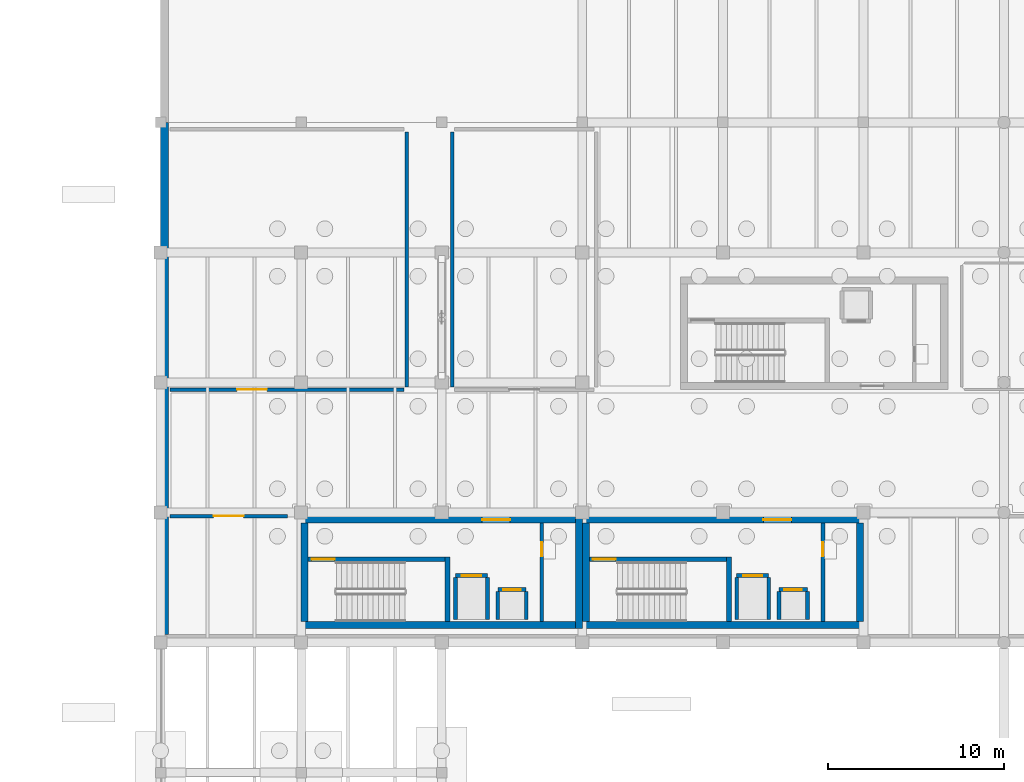
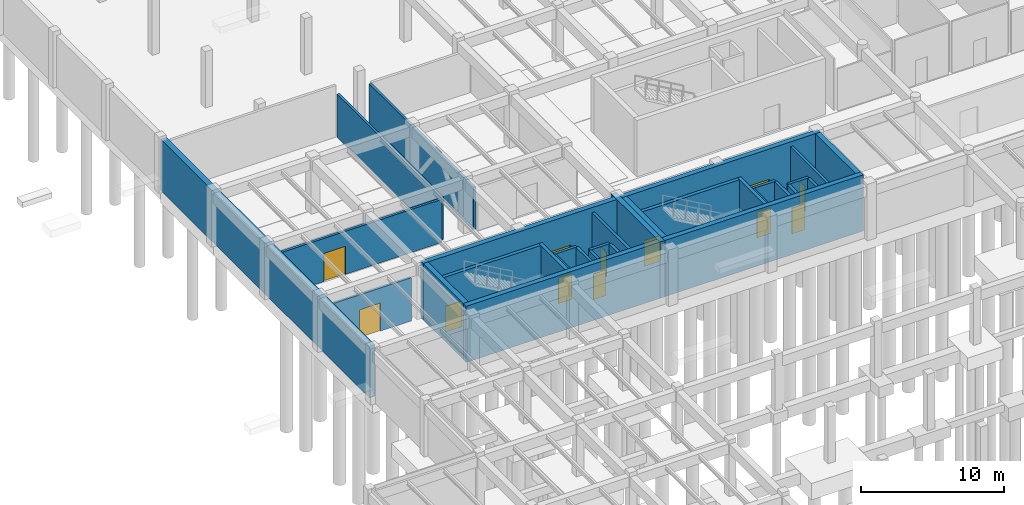
# One storey, part 19 of 40: 31 walls, 12 doors, 12 openings.
"""IFC4 building model written with IfcOpenShell, lengths in metres."""

from ifc_helpers import new_model, si_unit, direction, frame, frame_2d, origin, place, context, subcontext, project, spatial, rectangle, extrude, material, layer, layer_set, type_object, element, fill, save


model = new_model("IFC4")

# Units and contexts
model_context = context("Model", 3, precision=1e-05, world=origin(), true_north=direction((0.0, 1.0)))
body_context = subcontext(model_context, "Body", "Model", "MODEL_VIEW")
ifc_project = project(units=[si_unit("LENGTHUNIT", "METRE"), si_unit("AREAUNIT", "SQUARE_METRE"), si_unit("VOLUMEUNIT", "CUBIC_METRE"), si_unit("PLANEANGLEUNIT", "RADIAN"), si_unit("MASSUNIT", "GRAM", prefix="KILO")], contexts=[model_context])

# Site, building, storey
site_placement = place(None, origin())
site = spatial("IfcSite", under=ifc_project, at=site_placement, CompositionType="ELEMENT")
building_placement = place(site_placement, origin())
building = spatial("IfcBuilding", under=site, at=building_placement, Name="Valkorina Park Police Headquarters", CompositionType="ELEMENT")
storey_placement = place(building_placement, frame((0.0, 0.0, -4.800048828125)))
storey = spatial("IfcBuildingStorey", under=building, at=storey_placement, Name="B01", CompositionType="ELEMENT", Elevation=-4.800048828125)

# Wall, opening, door
ifc_material_1 = material(Name="Autoclaved aerated concrete masonry", Category="masonry")
ifc_layer_1 = layer(ifc_material_1, 0.219970703125)
ifc_layer_set_1 = layer_set([ifc_layer_1], Name="Autoclaved aerated concrete masonry")
wall_type_1 = type_object("IfcWallType", Name="WL-CHASE-220-EI60", PredefinedType="PLUMBINGWALL", material=ifc_layer_set_1)
wall_1_placement = place(storey_placement, frame((25.590087890625, 40.81005859375, 0.0), z_axis=(0.0, 0.0, 1.0), x_axis=(1.0, 0.0, 0.0)))
wall_1 = element("IfcWall", 1, at=wall_1_placement, inside=storey, type_object=wall_type_1, Name="Lift LF-01 B01 Shaft Front Wall", PredefinedType="PLUMBINGWALL", context=body_context, shape_type="SweptSolid", body=[
    extrude(rectangle(XDim=1.81982421875, YDim=0.219970703125, at=frame_2d((0.909912109375, 0.0))), origin(), (0.0, 0.0, 1.0), 4.380126953125),
])
opening_1_placement = place(wall_1_placement, frame((0.360107421875, 0.0, 0.0)))
opening_1 = element("IfcOpeningElement", 2, at=opening_1_placement, cuts=wall_1, Name="Opening LD-01", PredefinedType="OPENING", context=body_context, shape_type="SweptSolid", body=[
    extrude(rectangle(XDim=1.10009765625, YDim=2.199951171875, at=frame_2d((0.550048828125, 1.10009765625))), frame((0.0, 0.1201171875, 0.0), z_axis=(0.0, -1.0, 0.0), x_axis=(1.0, 0.0, 0.0)), (0.0, 0.0, 1.0), 0.239990234375),
])
ifc_material_2 = material(Name="Stainless steel EN 1.4404", Category="steel")
ifc_layer_2 = layer(ifc_material_2, 0.050048828125)
ifc_layer_set_2 = layer_set([ifc_layer_2], Name="Stainless steel EN 1.4404")
door_type_1 = type_object("IfcDoorType", Name="DR-LIFT-FF-1100x2200", OperationType="NOTDEFINED", PredefinedType="DOOR", material=ifc_layer_set_2)
door_1_placement = place(opening_1_placement, origin())
door_1 = element("IfcDoor", 3, at=door_1_placement, inside=storey, type_object=door_type_1, Name="Lift Landing Door LF-01-B01", OperationType="DOUBLE_DOOR_SLIDING", OverallHeight=2.199951171875, OverallWidth=1.10009765625, PredefinedType="DOOR", context=body_context, shape_type="SweptSolid", body=[
    extrude(rectangle(XDim=1.10009765625, YDim=2.199951171875, at=frame_2d((0.550048828125, 1.10009765625))), frame((0.0, 0.02490234375, 0.0), z_axis=(0.0, -1.0, 0.0), x_axis=(1.0, 0.0, 0.0)), (0.0, 0.0, 1.0), 0.050048828125),
])
fill(opening_1, door_1)

# Walls
for number, where, z_axis, x_axis, name in (
    (4, (25.590087890625, 38.300048828125, 0.0), (0.0, 0.0, 1.0), (0.0, 1.0, 0.0), "Lift LF-01 B01 Shaft Side Wall W"),
    (5, (27.409912109375, 38.300048828125, 0.0), (0.0, 0.0, 1.0), (0.0, 1.0, 0.0), "Lift LF-01 B01 Shaft Side Wall E"),
):
    element("IfcWall", number, at=place(storey_placement, frame(where, z_axis=z_axis, x_axis=x_axis)), inside=storey, type_object=wall_type_1, Name=name, PredefinedType="PLUMBINGWALL", context=body_context, shape_type="SweptSolid", body=[
        extrude(rectangle(XDim=2.39990234375, YDim=0.219970703125, at=frame_2d((1.199951171875, 0.0))), origin(), (0.0, 0.0, 1.0), 4.380126953125),
    ])

# Wall, opening, door
wall_2_placement = place(storey_placement, frame((27.989990234375, 40.010009765625, 0.0), z_axis=(0.0, 0.0, 1.0), x_axis=(1.0, 0.0, 0.0)))
wall_2 = element("IfcWall", 6, at=wall_2_placement, inside=storey, type_object=wall_type_1, Name="Lift LF-03 B01 Shaft Front Wall", PredefinedType="PLUMBINGWALL", context=body_context, shape_type="SweptSolid", body=[
    extrude(rectangle(XDim=1.6201171875, YDim=0.219970703125, at=frame_2d((0.81005859375, 0.0))), origin(), (0.0, 0.0, 1.0), 4.380126953125),
])
opening_2_placement = place(wall_2_placement, frame((0.31005859375, 0.0, 0.0)))
opening_2 = element("IfcOpeningElement", 7, at=opening_2_placement, cuts=wall_2, Name="Opening LD-02", PredefinedType="OPENING", context=body_context, shape_type="SweptSolid", body=[
    extrude(rectangle(XDim=1.0, YDim=2.199951171875, at=frame_2d((0.5, 1.10009765625))), frame((0.0, 0.1201171875, 0.0), z_axis=(0.0, -1.0, 0.0), x_axis=(1.0, 0.0, 0.0)), (0.0, 0.0, 1.0), 0.239990234375),
])
ifc_layer_3 = layer(ifc_material_2, 0.050048828125)
ifc_layer_set_3 = layer_set([ifc_layer_3], Name="Stainless steel EN 1.4404")
door_type_2 = type_object("IfcDoorType", Name="DR-LIFT-PAX-1000x2200", OperationType="NOTDEFINED", PredefinedType="DOOR", material=ifc_layer_set_3)
door_2_placement = place(opening_2_placement, origin())
door_2 = element("IfcDoor", 8, at=door_2_placement, inside=storey, type_object=door_type_2, Name="Lift Landing Door LF-03-B01", OperationType="DOUBLE_DOOR_SLIDING", OverallHeight=2.199951171875, OverallWidth=1.0, PredefinedType="DOOR", context=body_context, shape_type="SweptSolid", body=[
    extrude(rectangle(XDim=1.0, YDim=2.199951171875, at=frame_2d((0.5, 1.10009765625))), frame((0.0, 0.02490234375, 0.0), z_axis=(0.0, -1.0, 0.0), x_axis=(1.0, 0.0, 0.0)), (0.0, 0.0, 1.0), 0.050048828125),
])
fill(opening_2, door_2)

# Walls
for number, where, z_axis, x_axis, name in (
    (9, (27.989990234375, 38.300048828125, 0.0), (0.0, 0.0, 1.0), (0.0, 1.0, 0.0), "Lift LF-03 B01 Shaft Side Wall W"),
    (10, (29.610107421875, 38.300048828125, 0.0), (0.0, 0.0, 1.0), (0.0, 1.0, 0.0), "Lift LF-03 B01 Shaft Side Wall E"),
):
    element("IfcWall", number, at=place(storey_placement, frame(where, z_axis=z_axis, x_axis=x_axis)), inside=storey, type_object=wall_type_1, Name=name, PredefinedType="PLUMBINGWALL", context=body_context, shape_type="SweptSolid", body=[
        extrude(rectangle(XDim=1.599853515625, YDim=0.219970703125, at=frame_2d((0.7998046875, 0.0))), origin(), (0.0, 0.0, 1.0), 4.380126953125),
    ])

# Wall, opening, door
wall_3_placement = place(storey_placement, frame((30.489990234375, 38.199951171875, 0.0), z_axis=(0.0, 0.0, 1.0), x_axis=(0.0, 1.0, 0.0)))
wall_3 = element("IfcWall", 11, at=wall_3_placement, inside=storey, type_object=wall_type_1, Name="Core C1 B01 Riser Shaft West Wall", PredefinedType="PLUMBINGWALL", context=body_context, shape_type="SweptSolid", body=[
    extrude(rectangle(XDim=5.60009765625, YDim=0.219970703125, at=frame_2d((2.800048828125, 0.0))), origin(), (0.0, 0.0, 1.0), 4.380126953125),
])
opening_3_placement = place(wall_3_placement, frame((3.699951171875, 0.0, 0.0)))
opening_3 = element("IfcOpeningElement", 12, at=opening_3_placement, cuts=wall_3, Name="Opening ID-01", PredefinedType="OPENING", context=body_context, shape_type="SweptSolid", body=[
    extrude(rectangle(XDim=0.800048828125, YDim=2.10009765625, at=frame_2d((0.39990234375, 1.050048828125))), frame((0.0, 0.1201171875, 0.0), z_axis=(0.0, -1.0, 0.0), x_axis=(1.0, 0.0, 0.0)), (0.0, 0.0, 1.0), 0.239990234375),
])
ifc_material_3 = material(Name="Galvanized steel door leaf", Category="steel")
ifc_layer_4 = layer(ifc_material_3, 0.050048828125)
ifc_layer_set_4 = layer_set([ifc_layer_4], Name="Galvanized steel door leaf")
door_type_3 = type_object("IfcDoorType", Name="DR-INT-RISER-800x2100", OperationType="NOTDEFINED", PredefinedType="DOOR", material=ifc_layer_set_4)
door_3_placement = place(opening_3_placement, origin())
door_3 = element("IfcDoor", 13, at=door_3_placement, inside=storey, type_object=door_type_3, Name="Riser Shaft Access Door C1-B01", OperationType="SINGLE_SWING_LEFT", OverallHeight=2.10009765625, OverallWidth=0.800048828125, PredefinedType="DOOR", context=body_context, shape_type="SweptSolid", body=[
    extrude(rectangle(XDim=0.800048828125, YDim=2.10009765625, at=frame_2d((0.39990234375, 1.050048828125))), frame((0.0, 0.02490234375, 0.0), z_axis=(0.0, -1.0, 0.0), x_axis=(1.0, 0.0, 0.0)), (0.0, 0.0, 1.0), 0.050048828125),
])
fill(opening_3, door_3)

wall_4_placement = place(storey_placement, frame((41.590087890625, 40.81005859375, 0.0), z_axis=(0.0, 0.0, 1.0), x_axis=(1.0, 0.0, 0.0)))
wall_4 = element("IfcWall", 14, at=wall_4_placement, inside=storey, type_object=wall_type_1, Name="Lift LF-02 B01 Shaft Front Wall", PredefinedType="PLUMBINGWALL", context=body_context, shape_type="SweptSolid", body=[
    extrude(rectangle(XDim=1.81982421875, YDim=0.219970703125, at=frame_2d((0.909912109375, 0.0))), origin(), (0.0, 0.0, 1.0), 4.380126953125),
])
opening_4_placement = place(wall_4_placement, frame((0.360107421875, 0.0, 0.0)))
opening_4 = element("IfcOpeningElement", 15, at=opening_4_placement, cuts=wall_4, Name="Opening LD-01", PredefinedType="OPENING", context=body_context, shape_type="SweptSolid", body=[
    extrude(rectangle(XDim=1.10009765625, YDim=2.199951171875, at=frame_2d((0.550048828125, 1.10009765625))), frame((0.0, 0.1201171875, 0.0), z_axis=(0.0, -1.0, 0.0), x_axis=(1.0, 0.0, 0.0)), (0.0, 0.0, 1.0), 0.239990234375),
])
door_4_placement = place(opening_4_placement, origin())
door_4 = element("IfcDoor", 16, at=door_4_placement, inside=storey, type_object=door_type_1, Name="Lift Landing Door LF-02-B01", OperationType="DOUBLE_DOOR_SLIDING", OverallHeight=2.199951171875, OverallWidth=1.10009765625, PredefinedType="DOOR", context=body_context, shape_type="SweptSolid", body=[
    extrude(rectangle(XDim=1.10009765625, YDim=2.199951171875, at=frame_2d((0.550048828125, 1.10009765625))), frame((0.0, 0.02490234375, 0.0), z_axis=(0.0, -1.0, 0.0), x_axis=(1.0, 0.0, 0.0)), (0.0, 0.0, 1.0), 0.050048828125),
])
fill(opening_4, door_4)

# Walls
for number, where, z_axis, x_axis, name in (
    (17, (41.590087890625, 38.300048828125, 0.0), (0.0, 0.0, 1.0), (0.0, 1.0, 0.0), "Lift LF-02 B01 Shaft Side Wall W"),
    (18, (43.409912109375, 38.300048828125, 0.0), (0.0, 0.0, 1.0), (0.0, 1.0, 0.0), "Lift LF-02 B01 Shaft Side Wall E"),
):
    element("IfcWall", number, at=place(storey_placement, frame(where, z_axis=z_axis, x_axis=x_axis)), inside=storey, type_object=wall_type_1, Name=name, PredefinedType="PLUMBINGWALL", context=body_context, shape_type="SweptSolid", body=[
        extrude(rectangle(XDim=2.39990234375, YDim=0.219970703125, at=frame_2d((1.199951171875, 0.0))), origin(), (0.0, 0.0, 1.0), 4.380126953125),
    ])

# Wall, opening, door
wall_5_placement = place(storey_placement, frame((43.989990234375, 40.010009765625, 0.0), z_axis=(0.0, 0.0, 1.0), x_axis=(1.0, 0.0, 0.0)))
wall_5 = element("IfcWall", 19, at=wall_5_placement, inside=storey, type_object=wall_type_1, Name="Lift LF-04 B01 Shaft Front Wall", PredefinedType="PLUMBINGWALL", context=body_context, shape_type="SweptSolid", body=[
    extrude(rectangle(XDim=1.6201171875, YDim=0.219970703125, at=frame_2d((0.81005859375, 0.0))), origin(), (0.0, 0.0, 1.0), 4.380126953125),
])
opening_5_placement = place(wall_5_placement, frame((0.31005859375, 0.0, 0.0)))
opening_5 = element("IfcOpeningElement", 20, at=opening_5_placement, cuts=wall_5, Name="Opening LD-02", PredefinedType="OPENING", context=body_context, shape_type="SweptSolid", body=[
    extrude(rectangle(XDim=1.0, YDim=2.199951171875, at=frame_2d((0.5, 1.10009765625))), frame((0.0, 0.1201171875, 0.0), z_axis=(0.0, -1.0, 0.0), x_axis=(1.0, 0.0, 0.0)), (0.0, 0.0, 1.0), 0.239990234375),
])
door_5_placement = place(opening_5_placement, origin())
door_5 = element("IfcDoor", 21, at=door_5_placement, inside=storey, type_object=door_type_2, Name="Lift Landing Door LF-04-B01", OperationType="DOUBLE_DOOR_SLIDING", OverallHeight=2.199951171875, OverallWidth=1.0, PredefinedType="DOOR", context=body_context, shape_type="SweptSolid", body=[
    extrude(rectangle(XDim=1.0, YDim=2.199951171875, at=frame_2d((0.5, 1.10009765625))), frame((0.0, 0.02490234375, 0.0), z_axis=(0.0, -1.0, 0.0), x_axis=(1.0, 0.0, 0.0)), (0.0, 0.0, 1.0), 0.050048828125),
])
fill(opening_5, door_5)

# Walls
for number, where, z_axis, x_axis, name in (
    (22, (43.989990234375, 38.300048828125, 0.0), (0.0, 0.0, 1.0), (0.0, 1.0, 0.0), "Lift LF-04 B01 Shaft Side Wall W"),
    (23, (45.610107421875, 38.300048828125, 0.0), (0.0, 0.0, 1.0), (0.0, 1.0, 0.0), "Lift LF-04 B01 Shaft Side Wall E"),
):
    element("IfcWall", number, at=place(storey_placement, frame(where, z_axis=z_axis, x_axis=x_axis)), inside=storey, type_object=wall_type_1, Name=name, PredefinedType="PLUMBINGWALL", context=body_context, shape_type="SweptSolid", body=[
        extrude(rectangle(XDim=1.599853515625, YDim=0.219970703125, at=frame_2d((0.7998046875, 0.0))), origin(), (0.0, 0.0, 1.0), 4.380126953125),
    ])

# Wall, opening, door
wall_6_placement = place(storey_placement, frame((46.489990234375, 38.199951171875, 0.0), z_axis=(0.0, 0.0, 1.0), x_axis=(0.0, 1.0, 0.0)))
wall_6 = element("IfcWall", 24, at=wall_6_placement, inside=storey, type_object=wall_type_1, Name="Core C2 B01 Riser Shaft West Wall", PredefinedType="PLUMBINGWALL", context=body_context, shape_type="SweptSolid", body=[
    extrude(rectangle(XDim=5.60009765625, YDim=0.219970703125, at=frame_2d((2.800048828125, 0.0))), origin(), (0.0, 0.0, 1.0), 4.380126953125),
])
opening_6_placement = place(wall_6_placement, frame((3.699951171875, 0.0, 0.0)))
opening_6 = element("IfcOpeningElement", 25, at=opening_6_placement, cuts=wall_6, Name="Opening ID-01", PredefinedType="OPENING", context=body_context, shape_type="SweptSolid", body=[
    extrude(rectangle(XDim=0.800048828125, YDim=2.10009765625, at=frame_2d((0.39990234375, 1.050048828125))), frame((0.0, 0.1201171875, 0.0), z_axis=(0.0, -1.0, 0.0), x_axis=(1.0, 0.0, 0.0)), (0.0, 0.0, 1.0), 0.239990234375),
])
door_6_placement = place(opening_6_placement, origin())
door_6 = element("IfcDoor", 26, at=door_6_placement, inside=storey, type_object=door_type_3, Name="Riser Shaft Access Door C2-B01", OperationType="SINGLE_SWING_RIGHT", OverallHeight=2.10009765625, OverallWidth=0.800048828125, PredefinedType="DOOR", context=body_context, shape_type="SweptSolid", body=[
    extrude(rectangle(XDim=0.800048828125, YDim=2.10009765625, at=frame_2d((0.39990234375, 1.050048828125))), frame((0.0, 0.02490234375, 0.0), z_axis=(0.0, -1.0, 0.0), x_axis=(1.0, 0.0, 0.0)), (0.0, 0.0, 1.0), 0.050048828125),
])
fill(opening_6, door_6)

# Wall
ifc_material_4 = material(Name="Concrete C40/50", Category="concrete")
ifc_layer_5 = layer(ifc_material_4, 0.39990234375)
ifc_layer_set_5 = layer_set([ifc_layer_5], Name="Concrete C40/50")
wall_type_2 = type_object("IfcWallType", Name="WL-CORE-400-REI180", PredefinedType="SHEAR", material=ifc_layer_set_5)
wall_7_placement = place(storey_placement, frame((16.800048828125, 38.0, 0.0), z_axis=(0.0, 0.0, 1.0), x_axis=(1.0, 0.0, 0.0)))
element("IfcWall", 27, at=wall_7_placement, inside=storey, type_object=wall_type_2, Name="Core C1 B01 Shear Wall S", PredefinedType="SHEAR", context=body_context, shape_type="SweptSolid", body=[
    extrude(rectangle(XDim=16.39990234375, YDim=0.39990234375, at=frame_2d((8.199951171875, 0.0))), origin(), (0.0, 0.0, 1.0), 4.795166015625),
])

# Wall, opening, door
wall_8_placement = place(storey_placement, frame((16.800048828125, 44.0, 0.0), z_axis=(0.0, 0.0, 1.0), x_axis=(1.0, 0.0, 0.0)))
wall_8 = element("IfcWall", 28, at=wall_8_placement, inside=storey, type_object=wall_type_2, Name="Core C1 B01 Shear Wall N", PredefinedType="SHEAR", context=body_context, shape_type="SweptSolid", body=[
    extrude(rectangle(XDim=16.39990234375, YDim=0.39990234375, at=frame_2d((8.199951171875, 0.0))), origin(), (0.0, 0.0, 1.0), 4.795166015625),
])
opening_7_placement = place(wall_8_placement, frame((10.300048828125, 0.0, 0.0)))
opening_7 = element("IfcOpeningElement", 29, at=opening_7_placement, cuts=wall_8, Name="Opening FD-04", PredefinedType="OPENING", context=body_context, shape_type="SweptSolid", body=[
    extrude(rectangle(XDim=1.60009765625, YDim=2.199951171875, at=frame_2d((0.800048828125, 1.10009765625))), frame((0.0, 0.2099609375, 0.0), z_axis=(0.0, -1.0, 0.0), x_axis=(1.0, 0.0, 0.0)), (0.0, 0.0, 1.0), 0.419921875),
])
ifc_layer_6 = layer(ifc_material_3, 0.050048828125)
ifc_layer_set_6 = layer_set([ifc_layer_6], Name="Galvanized steel door leaf")
door_type_4 = type_object("IfcDoorType", Name="DR-FIRE-FFL-1600x2200", OperationType="NOTDEFINED", PredefinedType="DOOR", material=ifc_layer_set_6)
door_7_placement = place(opening_7_placement, origin())
door_7 = element("IfcDoor", 30, at=door_7_placement, inside=storey, type_object=door_type_4, Name="Door D-B01-FFL-C1 (Firefighting Lift Lobby Door)", OperationType="DOUBLE_DOOR_SINGLE_SWING", OverallHeight=2.199951171875, OverallWidth=1.60009765625, PredefinedType="DOOR", context=body_context, shape_type="SweptSolid", body=[
    extrude(rectangle(XDim=1.60009765625, YDim=2.199951171875, at=frame_2d((0.800048828125, 1.10009765625))), frame((0.0, 0.02490234375, 0.0), z_axis=(0.0, -1.0, 0.0), x_axis=(1.0, 0.0, 0.0)), (0.0, 0.0, 1.0), 0.050048828125),
])
fill(opening_7, door_7)

# Walls
wall_9_placement = place(storey_placement, frame((17.0, 38.199951171875, 0.0), z_axis=(0.0, 0.0, 1.0), x_axis=(0.0, 1.0, 0.0)))
element("IfcWall", 31, at=wall_9_placement, inside=storey, type_object=wall_type_2, Name="Core C1 B01 Shear Wall W", PredefinedType="SHEAR", context=body_context, shape_type="SweptSolid", body=[
    extrude(rectangle(XDim=5.60009765625, YDim=0.39990234375, at=frame_2d((2.800048828125, 0.0))), origin(), (0.0, 0.0, 1.0), 4.795166015625),
])
wall_10_placement = place(storey_placement, frame((32.60009765625, 37.800048828125, 0.0), z_axis=(0.0, 0.0, 1.0), x_axis=(0.0, 1.0, 0.0)))
element("IfcWall", 32, at=wall_10_placement, inside=storey, type_object=wall_type_2, Name="Core C1 B01 Shear Wall E", PredefinedType="SHEAR", context=body_context, shape_type="SweptSolid", body=[
    extrude(rectangle(XDim=6.800048828125, YDim=0.39990234375, at=frame_2d((3.39990234375, 0.0))), origin(), (0.0, 0.0, 1.0), 4.795166015625),
])
wall_11_placement = place(storey_placement, frame((32.800048828125, 38.0, 0.0), z_axis=(0.0, 0.0, 1.0), x_axis=(1.0, 0.0, 0.0)))
element("IfcWall", 33, at=wall_11_placement, inside=storey, type_object=wall_type_2, Name="Core C2 B01 Shear Wall S", PredefinedType="SHEAR", context=body_context, shape_type="SweptSolid", body=[
    extrude(rectangle(XDim=16.0, YDim=0.39990234375, at=frame_2d((8.0, 0.0))), origin(), (0.0, 0.0, 1.0), 4.795166015625),
])

# Wall, opening, door
wall_12_placement = place(storey_placement, frame((32.800048828125, 44.0, 0.0), z_axis=(0.0, 0.0, 1.0), x_axis=(1.0, 0.0, 0.0)))
wall_12 = element("IfcWall", 34, at=wall_12_placement, inside=storey, type_object=wall_type_2, Name="Core C2 B01 Shear Wall N", PredefinedType="SHEAR", context=body_context, shape_type="SweptSolid", body=[
    extrude(rectangle(XDim=16.0, YDim=0.39990234375, at=frame_2d((8.0, 0.0))), origin(), (0.0, 0.0, 1.0), 4.795166015625),
])
opening_8_placement = place(wall_12_placement, frame((10.300048828125, 0.0, 0.0)))
opening_8 = element("IfcOpeningElement", 35, at=opening_8_placement, cuts=wall_12, Name="Opening FD-04", PredefinedType="OPENING", context=body_context, shape_type="SweptSolid", body=[
    extrude(rectangle(XDim=1.60009765625, YDim=2.199951171875, at=frame_2d((0.800048828125, 1.10009765625))), frame((0.0, 0.2099609375, 0.0), z_axis=(0.0, -1.0, 0.0), x_axis=(1.0, 0.0, 0.0)), (0.0, 0.0, 1.0), 0.419921875),
])
door_8_placement = place(opening_8_placement, origin())
door_8 = element("IfcDoor", 36, at=door_8_placement, inside=storey, type_object=door_type_4, Name="Door D-B01-FFL-C2 (Firefighting Lift Lobby Door)", OperationType="DOUBLE_DOOR_SINGLE_SWING", OverallHeight=2.199951171875, OverallWidth=1.60009765625, PredefinedType="DOOR", context=body_context, shape_type="SweptSolid", body=[
    extrude(rectangle(XDim=1.60009765625, YDim=2.199951171875, at=frame_2d((0.800048828125, 1.10009765625))), frame((0.0, 0.02490234375, 0.0), z_axis=(0.0, -1.0, 0.0), x_axis=(1.0, 0.0, 0.0)), (0.0, 0.0, 1.0), 0.050048828125),
])
fill(opening_8, door_8)

# Walls
for number, where, z_axis, x_axis, name in (
    (37, (33.0, 38.199951171875, 0.0), (0.0, 0.0, 1.0), (0.0, 1.0, 0.0), "Core C2 B01 Shear Wall W"),
    (38, (48.60009765625, 38.199951171875, 0.0), (0.0, 0.0, 1.0), (0.0, 1.0, 0.0), "Core C2 B01 Shear Wall E"),
):
    element("IfcWall", number, at=place(storey_placement, frame(where, z_axis=z_axis, x_axis=x_axis)), inside=storey, type_object=wall_type_2, Name=name, PredefinedType="SHEAR", context=body_context, shape_type="SweptSolid", body=[
        extrude(rectangle(XDim=5.60009765625, YDim=0.39990234375, at=frame_2d((2.800048828125, 0.0))), origin(), (0.0, 0.0, 1.0), 4.795166015625),
    ])

# Wall, opening, door
ifc_layer_7 = layer(ifc_material_1, 0.199951171875)
ifc_layer_set_7 = layer_set([ifc_layer_7], Name="Autoclaved aerated concrete masonry")
wall_type_3 = type_object("IfcWallType", Name="WL-CORR-200-EI60", PredefinedType="STANDARD", material=ifc_layer_set_7)
wall_13_placement = place(storey_placement, frame((9.340087890625, 44.199951171875, 0.0), z_axis=(0.0, 0.0, 1.0), x_axis=(1.0, 0.0, 0.0)))
wall_13 = element("IfcWall", 39, at=wall_13_placement, inside=storey, type_object=wall_type_3, Name="B01 Interior Partition 0001 (B01-PLT-01)", PredefinedType="STANDARD", context=body_context, shape_type="SweptSolid", body=[
    extrude(rectangle(XDim=6.669921875, YDim=0.199951171875, at=frame_2d((3.3349609375, 0.0))), origin(), (0.0, 0.0, 1.0), 3.670166015625),
])
opening_9_placement = place(wall_13_placement, frame((2.485107421875, 0.0, 0.0)))
opening_9 = element("IfcOpeningElement", 40, at=opening_9_placement, cuts=wall_13, Name="Opening FD-08", PredefinedType="OPENING", context=body_context, shape_type="SweptSolid", body=[
    extrude(rectangle(XDim=1.699951171875, YDim=2.39990234375, at=frame_2d((0.85009765625, 1.199951171875))), frame((0.0, 0.10986328125, 0.0), z_axis=(0.0, -1.0, 0.0), x_axis=(1.0, 0.0, 0.0)), (0.0, 0.0, 1.0), 0.219970703125),
])
ifc_layer_8 = layer(ifc_material_3, 0.050048828125)
ifc_layer_set_8 = layer_set([ifc_layer_8], Name="Galvanized steel door leaf")
door_type_5 = type_object("IfcDoorType", Name="DR-FIRE-PLANT-1700x2400", OperationType="NOTDEFINED", PredefinedType="DOOR", material=ifc_layer_set_8)
door_9_placement = place(opening_9_placement, origin())
door_9 = element("IfcDoor", 41, at=door_9_placement, inside=storey, type_object=door_type_5, Name="Door D-B01-I001 (B01-PLT-01)", OperationType="DOUBLE_DOOR_SINGLE_SWING", OverallHeight=2.39990234375, OverallWidth=1.699951171875, PredefinedType="DOOR", context=body_context, shape_type="SweptSolid", body=[
    extrude(rectangle(XDim=1.699951171875, YDim=2.39990234375, at=frame_2d((0.85009765625, 1.199951171875))), frame((0.0, 0.02490234375, 0.0), z_axis=(0.0, -1.0, 0.0), x_axis=(1.0, 0.0, 0.0)), (0.0, 0.0, 1.0), 0.050048828125),
])
fill(opening_9, door_9)

wall_14_placement = place(storey_placement, frame((9.340087890625, 51.39990234375, 0.0), z_axis=(0.0, 0.0, 1.0), x_axis=(1.0, 0.0, 0.0)))
wall_14 = element("IfcWall", 42, at=wall_14_placement, inside=storey, type_object=wall_type_3, Name="B01 Interior Partition 0002 (B01-PLT-02)", PredefinedType="STANDARD", context=body_context, shape_type="SweptSolid", body=[
    extrude(rectangle(XDim=13.31982421875, YDim=0.199951171875, at=frame_2d((6.659912109375, 0.0))), origin(), (0.0, 0.0, 1.0), 3.670166015625),
])
opening_10_placement = place(wall_14_placement, frame((3.81201171875, 0.0, 0.0)))
opening_10 = element("IfcOpeningElement", 43, at=opening_10_placement, cuts=wall_14, Name="Opening FD-08", PredefinedType="OPENING", context=body_context, shape_type="SweptSolid", body=[
    extrude(rectangle(XDim=1.699951171875, YDim=2.39990234375, at=frame_2d((0.85009765625, 1.199951171875))), frame((0.0, 0.10986328125, 0.0), z_axis=(0.0, -1.0, 0.0), x_axis=(1.0, 0.0, 0.0)), (0.0, 0.0, 1.0), 0.219970703125),
])
door_10_placement = place(opening_10_placement, origin())
door_10 = element("IfcDoor", 44, at=door_10_placement, inside=storey, type_object=door_type_5, Name="Door D-B01-I002 (B01-PLT-02)", OperationType="DOUBLE_DOOR_SINGLE_SWING", OverallHeight=2.39990234375, OverallWidth=1.699951171875, PredefinedType="DOOR", context=body_context, shape_type="SweptSolid", body=[
    extrude(rectangle(XDim=1.699951171875, YDim=2.39990234375, at=frame_2d((0.85009765625, 1.199951171875))), frame((0.0, 0.02490234375, 0.0), z_axis=(0.0, -1.0, 0.0), x_axis=(1.0, 0.0, 0.0)), (0.0, 0.0, 1.0), 0.050048828125),
])
fill(opening_10, door_10)

# Walls
wall_15_placement = place(storey_placement, frame((22.800048828125, 51.5400390625, 0.0), z_axis=(0.0, 0.0, 1.0), x_axis=(0.0, 1.0, 0.0)))
element("IfcWall", 45, at=wall_15_placement, inside=storey, type_object=wall_type_3, Name="B01 Interior Partition 0004 (B01-PLT-02)", PredefinedType="STANDARD", context=body_context, shape_type="SweptSolid", body=[
    extrude(rectangle(XDim=14.52001953125, YDim=0.199951171875, at=frame_2d((7.260009765625, 0.0))), origin(), (0.0, 0.0, 1.0), 3.670166015625),
])
wall_16_placement = place(storey_placement, frame((25.39990234375, 51.5400390625, 0.0), z_axis=(0.0, 0.0, 1.0), x_axis=(0.0, 1.0, 0.0)))
element("IfcWall", 46, at=wall_16_placement, inside=storey, type_object=wall_type_3, Name="B01 Interior Partition 0007 (B01-PLT-03)", PredefinedType="STANDARD", context=body_context, shape_type="SweptSolid", body=[
    extrude(rectangle(XDim=14.52001953125, YDim=0.199951171875, at=frame_2d((7.260009765625, 0.0))), origin(), (0.0, 0.0, 1.0), 3.630126953125),
])
ifc_material_5 = material(Name="Concrete C35/45", Category="concrete")
ifc_layer_9 = layer(ifc_material_5, 0.449951171875)
ifc_layer_set_9 = layer_set([ifc_layer_9], Name="Concrete C35/45")
wall_type_4 = type_object("IfcWallType", Name="WL-RETAIN-450-REI120", PredefinedType="SOLIDWALL", material=ifc_layer_set_9)
wall_17_placement = place(storey_placement, frame((9.02490234375, 37.449951171875, 0.0), z_axis=(0.0, 0.0, 1.0), x_axis=(0.0, 1.0, 0.0)))
element("IfcWall", 47, at=wall_17_placement, inside=storey, type_object=wall_type_4, Name="B01 Basement Retaining Wall 02", PredefinedType="SOLIDWALL", context=body_context, shape_type="SweptSolid", body=[
    extrude(rectangle(XDim=29.150146484375, YDim=0.449951171875, at=frame_2d((14.5751953125, 0.0))), origin(), (0.0, 0.0, 1.0), 4.380126953125),
])
ifc_layer_10 = layer(ifc_material_4, 0.280029296875)
ifc_layer_set_10 = layer_set([ifc_layer_10], Name="Concrete C40/50")
wall_type_5 = type_object("IfcWallType", Name="WL-STAIR-280-REI120", PredefinedType="SHEAR", material=ifc_layer_set_10)
wall_18_placement = place(storey_placement, frame((25.139892578125, 38.199951171875, 0.0), z_axis=(0.0, 0.0, 1.0), x_axis=(0.0, 1.0, 0.0)))
element("IfcWall", 48, at=wall_18_placement, inside=storey, type_object=wall_type_5, Name="Core C1 B01 Shear Wall DIV", PredefinedType="SHEAR", context=body_context, shape_type="SweptSolid", body=[
    extrude(rectangle(XDim=3.679931640625, YDim=0.280029296875, at=frame_2d((1.83984375, 0.0))), origin(), (0.0, 0.0, 1.0), 4.795166015625),
])

# Wall, opening, door
wall_19_placement = place(storey_placement, frame((17.199951171875, 41.739990234375, 0.0), z_axis=(0.0, 0.0, 1.0), x_axis=(1.0, 0.0, 0.0)))
wall_19 = element("IfcWall", 49, at=wall_19_placement, inside=storey, type_object=wall_type_5, Name="Core C1 B01 Shear Wall SIDE", PredefinedType="SHEAR", context=body_context, shape_type="SweptSolid", body=[
    extrude(rectangle(XDim=7.800048828125, YDim=0.280029296875, at=frame_2d((3.89990234375, 0.0))), origin(), (0.0, 0.0, 1.0), 4.795166015625),
])
opening_11_placement = place(wall_19_placement, frame((0.199951171875, 0.0, 0.0)))
opening_11 = element("IfcOpeningElement", 50, at=opening_11_placement, cuts=wall_19, Name="Opening FD-03", PredefinedType="OPENING", context=body_context, shape_type="SweptSolid", body=[
    extrude(rectangle(XDim=1.300048828125, YDim=2.199951171875, at=frame_2d((0.64990234375, 1.10009765625))), frame((0.0, 0.14990234375, 0.0), z_axis=(0.0, -1.0, 0.0), x_axis=(1.0, 0.0, 0.0)), (0.0, 0.0, 1.0), 0.300048828125),
])
ifc_layer_11 = layer(ifc_material_3, 0.050048828125)
ifc_layer_set_11 = layer_set([ifc_layer_11], Name="Galvanized steel door leaf")
door_type_6 = type_object("IfcDoorType", Name="DR-FIRE-STAIR-1300x2200", OperationType="NOTDEFINED", PredefinedType="DOOR", material=ifc_layer_set_11)
door_11_placement = place(opening_11_placement, origin())
door_11 = element("IfcDoor", 51, at=door_11_placement, inside=storey, type_object=door_type_6, Name="Door D-B01-C001 (ST-01 Stair Fire Door)", OperationType="SINGLE_SWING_RIGHT", OverallHeight=2.199951171875, OverallWidth=1.300048828125, PredefinedType="DOOR", context=body_context, shape_type="SweptSolid", body=[
    extrude(rectangle(XDim=1.300048828125, YDim=2.199951171875, at=frame_2d((0.64990234375, 1.10009765625))), frame((0.0, 0.02490234375, 0.0), z_axis=(0.0, -1.0, 0.0), x_axis=(1.0, 0.0, 0.0)), (0.0, 0.0, 1.0), 0.050048828125),
])
fill(opening_11, door_11)

# Wall
wall_20_placement = place(storey_placement, frame((41.139892578125, 38.199951171875, 0.0), z_axis=(0.0, 0.0, 1.0), x_axis=(0.0, 1.0, 0.0)))
element("IfcWall", 52, at=wall_20_placement, inside=storey, type_object=wall_type_5, Name="Core C2 B01 Shear Wall DIV", PredefinedType="SHEAR", context=body_context, shape_type="SweptSolid", body=[
    extrude(rectangle(XDim=3.679931640625, YDim=0.280029296875, at=frame_2d((1.83984375, 0.0))), origin(), (0.0, 0.0, 1.0), 4.795166015625),
])

# Wall, opening, door
wall_21_placement = place(storey_placement, frame((33.199951171875, 41.739990234375, 0.0), z_axis=(0.0, 0.0, 1.0), x_axis=(1.0, 0.0, 0.0)))
wall_21 = element("IfcWall", 53, at=wall_21_placement, inside=storey, type_object=wall_type_5, Name="Core C2 B01 Shear Wall SIDE", PredefinedType="SHEAR", context=body_context, shape_type="SweptSolid", body=[
    extrude(rectangle(XDim=7.800048828125, YDim=0.280029296875, at=frame_2d((3.89990234375, 0.0))), origin(), (0.0, 0.0, 1.0), 4.795166015625),
])
opening_12_placement = place(wall_21_placement, frame((0.199951171875, 0.0, 0.0)))
opening_12 = element("IfcOpeningElement", 54, at=opening_12_placement, cuts=wall_21, Name="Opening FD-03", PredefinedType="OPENING", context=body_context, shape_type="SweptSolid", body=[
    extrude(rectangle(XDim=1.300048828125, YDim=2.199951171875, at=frame_2d((0.64990234375, 1.10009765625))), frame((0.0, 0.14990234375, 0.0), z_axis=(0.0, -1.0, 0.0), x_axis=(1.0, 0.0, 0.0)), (0.0, 0.0, 1.0), 0.300048828125),
])
door_12_placement = place(opening_12_placement, origin())
door_12 = element("IfcDoor", 55, at=door_12_placement, inside=storey, type_object=door_type_6, Name="Door D-B01-C046 (ST-02 Stair Fire Door)", OperationType="SINGLE_SWING_LEFT", OverallHeight=2.199951171875, OverallWidth=1.300048828125, PredefinedType="DOOR", context=body_context, shape_type="SweptSolid", body=[
    extrude(rectangle(XDim=1.300048828125, YDim=2.199951171875, at=frame_2d((0.64990234375, 1.10009765625))), frame((0.0, 0.02490234375, 0.0), z_axis=(0.0, -1.0, 0.0), x_axis=(1.0, 0.0, 0.0)), (0.0, 0.0, 1.0), 0.050048828125),
])
fill(opening_12, door_12)

save(model, "model.ifc")
